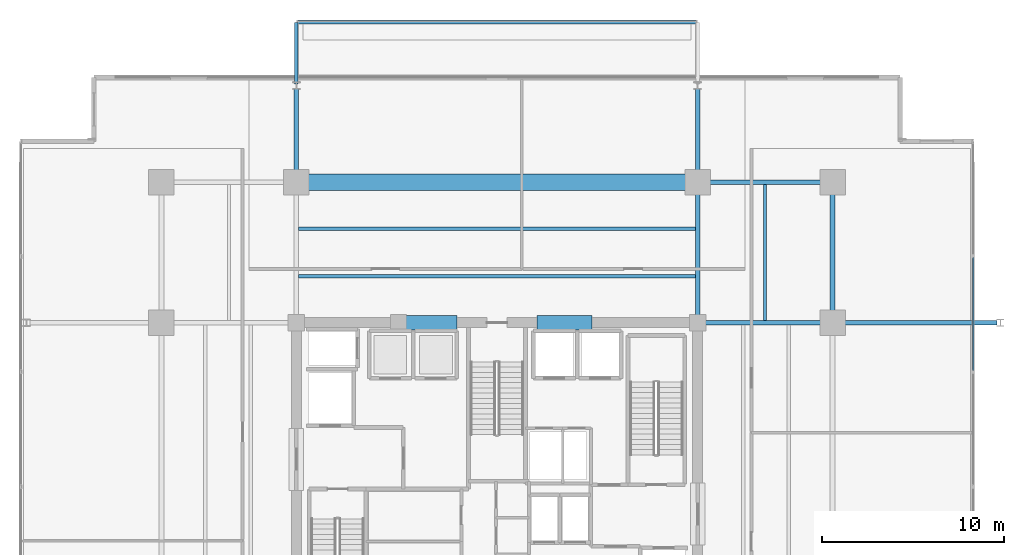
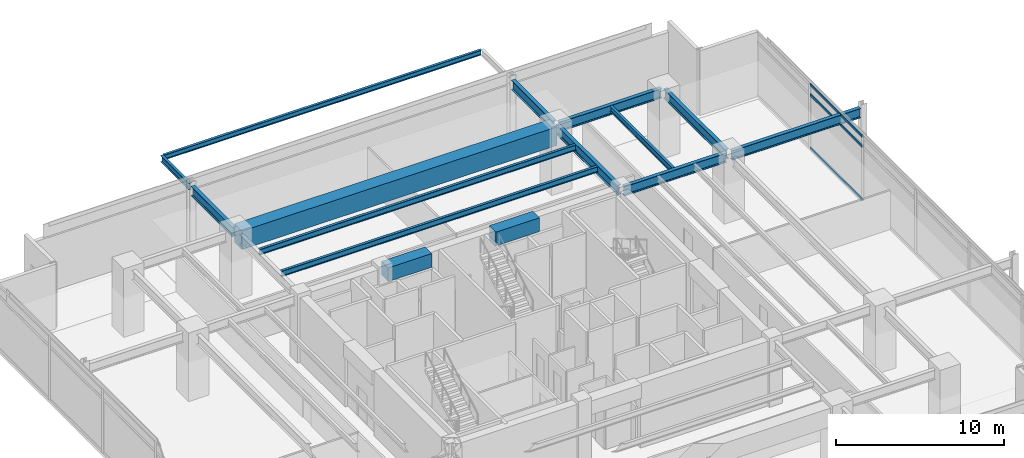
# One storey, part 11 of 25: 15 beams, 3 members, 1 element without a shape of its own.
"""IFC4 building model written with IfcOpenShell, lengths in metres."""

from ifc_helpers import new_model, si_unit, direction, frame, origin, origin_2d, place, context, subcontext, project, spatial, rectangle, hollow_rectangle, i_section, extrude, material, material_profile, profile_set, type_object, element, aggregate, save


model = new_model("IFC4")

# Units and contexts
model_context = context("Model", 3, precision=1e-05, world=origin(), true_north=direction((0.0, 1.0)))
body_context = subcontext(model_context, "Body", "Model", "MODEL_VIEW")
ifc_project = project(units=[si_unit("LENGTHUNIT", "METRE"), si_unit("AREAUNIT", "SQUARE_METRE"), si_unit("VOLUMEUNIT", "CUBIC_METRE"), si_unit("PLANEANGLEUNIT", "RADIAN"), si_unit("MASSUNIT", "GRAM", prefix="KILO")], contexts=[model_context])

# Site, building, storey
site_placement = place(None, origin())
site = spatial("IfcSite", under=ifc_project, at=site_placement, CompositionType="ELEMENT")
building_placement = place(site_placement, origin())
building = spatial("IfcBuilding", under=site, at=building_placement, Name="Kovane Verandah Tower", CompositionType="ELEMENT")
storey_placement = place(building_placement, frame((0.0, 0.0, 233.199951171875)))
storey = spatial("IfcBuildingStorey", under=building, at=storey_placement, Name="L54", CompositionType="ELEMENT", Elevation=233.199951171875)

# Beams
ifc_material_1 = material(Name="Concrete C60/75", Category="concrete")
ifc_material_profile_1 = material_profile(ifc_material_1, rectangle(XDim=0.800048828125, YDim=1.0, at=origin_2d()), Name="RCB800x1000")
ifc_profile_set_1 = profile_set([ifc_material_profile_1], Name="Concrete C60/75")
beam_type_1 = type_object("IfcBeamType", Name="BM-LINTEL-800x1000", PredefinedType="LINTEL", material=ifc_profile_set_1)
for number, where, z_axis, x_axis, name in (
    (1, (34.800048828125, 36.5, 4.199951171875), (1.0, 0.0, 0.0), (0.0, 1.0, 0.0), "L54 Core Coupling Lintel CL-N1"),
    (2, (42.199951171875, 36.5, 4.199951171875), (1.0, 0.0, 0.0), (0.0, 1.0, 0.0), "L54 Core Coupling Lintel CL-N2"),
):
    element("IfcBeam", number, at=place(storey_placement, frame(where, z_axis=z_axis, x_axis=x_axis)), inside=storey, type_object=beam_type_1, Name=name, PredefinedType="LINTEL", context=body_context, shape_type="SweptSolid", body=[
        extrude(rectangle(XDim=0.800048828125, YDim=1.0, at=origin_2d()), origin(), (0.0, 0.0, 1.0), 3.0),
    ])
ifc_material_2 = material(Name="Concrete C80/95", Category="concrete")
ifc_material_profile_2 = material_profile(ifc_material_2, rectangle(XDim=0.89990234375, YDim=1.35009765625, at=origin_2d()), Name="RCB900x1350")
ifc_profile_set_2 = profile_set([ifc_material_profile_2], Name="Concrete C80/95")
beam_type_2 = type_object("IfcBeamType", Name="BM-TR-900x1350", PredefinedType="BEAM", material=ifc_profile_set_2)
beam_1_placement = place(storey_placement, frame((29.179931640625, 44.199951171875, 4.025146484375), z_axis=(1.0, 0.0, 0.0), x_axis=(0.0, 1.0, 0.0)))
element("IfcBeam", 3, at=beam_1_placement, inside=storey, type_object=beam_type_2, Name="L54 Primary Tower Girder G-RN2", PredefinedType="BEAM", context=body_context, shape_type="SweptSolid", body=[
    extrude(rectangle(XDim=0.89990234375, YDim=1.35009765625, at=origin_2d()), origin(), (0.0, 0.0, 1.0), 21.64013671875),
])
ifc_material_3 = material(Name="Steel S355", Category="steel")
ifc_material_profile_3 = material_profile(ifc_material_3, i_section(OverallWidth=0.255859375, OverallDepth=0.69287109375, WebThickness=0.014404296875, FlangeThickness=0.023681640625, FilletRadius=0.01513671875, at=origin_2d()), Name="UB686x254x170")
ifc_profile_set_3 = profile_set([ifc_material_profile_3], Name="Steel S355")
beam_type_3 = type_object("IfcBeamType", Name="BM-UB686x170", PredefinedType="BEAM", material=ifc_profile_set_3)
beam_2_placement = place(storey_placement, frame((51.179931640625, 44.199951171875, 4.353759765625), z_axis=(1.0, 0.0, 0.0), x_axis=(0.0, 1.0, 0.0)))
element("IfcBeam", 4, at=beam_2_placement, inside=storey, type_object=beam_type_3, Name="L54 Primary Tower Girder G-RN3", PredefinedType="BEAM", context=body_context, shape_type="SweptSolid", body=[
    extrude(i_section(OverallWidth=0.255859375, OverallDepth=0.69287109375, WebThickness=0.014404296875, FlangeThickness=0.023681640625, FilletRadius=0.01513671875, at=origin_2d()), origin(), (0.0, 0.0, 1.0), 7.0400390625),
])
beam_3_placement = place(storey_placement, frame((58.39990234375, 36.679931640625, 4.353759765625), z_axis=(0.0, 1.0, 0.0), x_axis=(-1.0, 0.0, 0.0)))
element("IfcBeam", 5, at=beam_3_placement, inside=storey, type_object=beam_type_3, Name="L54 Primary Tower Girder G-RE3", PredefinedType="BEAM", context=body_context, shape_type="SweptSolid", body=[
    extrude(i_section(OverallWidth=0.255859375, OverallDepth=0.69287109375, WebThickness=0.014404296875, FlangeThickness=0.023681640625, FilletRadius=0.01513671875, at=origin_2d()), origin(), (0.0, 0.0, 1.0), 7.340087890625),
])
beam_4_placement = place(storey_placement, frame((51.179931640625, 36.5, 4.353759765625), z_axis=(1.0, 0.0, 0.0), x_axis=(0.0, 1.0, 0.0)))
element("IfcBeam", 6, at=beam_4_placement, inside=storey, type_object=beam_type_3, Name="L54 Primary Tower Girder G-E2", PredefinedType="BEAM", context=body_context, shape_type="SweptSolid", body=[
    extrude(i_section(OverallWidth=0.255859375, OverallDepth=0.69287109375, WebThickness=0.014404296875, FlangeThickness=0.023681640625, FilletRadius=0.01513671875, at=origin_2d()), origin(), (0.0, 0.0, 1.0), 7.0400390625),
])
beam_5_placement = place(storey_placement, frame((51.0, 36.679931640625, 4.353759765625), z_axis=(0.0, 1.0, 0.0), x_axis=(-1.0, 0.0, 0.0)))
element("IfcBeam", 7, at=beam_5_placement, inside=storey, type_object=beam_type_3, Name="L54 Primary Tower Girder G-N2", PredefinedType="BEAM", context=body_context, shape_type="SweptSolid", body=[
    extrude(i_section(OverallWidth=0.255859375, OverallDepth=0.69287109375, WebThickness=0.014404296875, FlangeThickness=0.023681640625, FilletRadius=0.01513671875, at=origin_2d()), origin(), (0.0, 0.0, 1.0), 7.340087890625),
])
beam_6_placement = place(storey_placement, frame((58.580078125, 36.5, 4.353759765625), z_axis=(1.0, 0.0, 0.0), x_axis=(0.0, 1.0, 0.0)))
element("IfcBeam", 8, at=beam_6_placement, inside=storey, type_object=beam_type_3, Name="L54 Primary Tower Girder G-VE2", PredefinedType="BEAM", context=body_context, shape_type="SweptSolid", body=[
    extrude(i_section(OverallWidth=0.255859375, OverallDepth=0.69287109375, WebThickness=0.014404296875, FlangeThickness=0.023681640625, FilletRadius=0.01513671875, at=origin_2d()), origin(), (0.0, 0.0, 1.0), 8.83984375),
])
for number, where, z_axis, x_axis, name in (
    (9, (29.0, 44.3798828125, 4.353759765625), (0.0, 1.0, 0.0), (-1.0, 0.0, 0.0), "L54 Primary Tower Girder G-VN1"),
    (10, (51.0, 44.3798828125, 4.353759765625), (0.0, 1.0, 0.0), (-1.0, 0.0, 0.0), "L54 Primary Tower Girder G-VN2"),
):
    element("IfcBeam", number, at=place(storey_placement, frame(where, z_axis=z_axis, x_axis=x_axis)), inside=storey, type_object=beam_type_3, Name=name, PredefinedType="BEAM", context=body_context, shape_type="SweptSolid", body=[
        extrude(i_section(OverallWidth=0.255859375, OverallDepth=0.69287109375, WebThickness=0.014404296875, FlangeThickness=0.023681640625, FilletRadius=0.01513671875, at=origin_2d()), origin(), (0.0, 0.0, 1.0), 4.940185546875),
    ])

# Curtain wall, members
ifc_material_4 = material(Name="Champagne Anodised Aluminium Frame with Low-E Clear Laminated Glass", Category="aluminium")
curtain_wall_type = type_object("IfcCurtainWallType", Name="CW-SYS-03-MID", PredefinedType="NOTDEFINED", material=ifc_material_4)
curtain_wall_placement = place(storey_placement, origin())
curtain_wall = element("IfcCurtainWall", 11, at=curtain_wall_placement, inside=storey, type_object=curtain_wall_type, Name="L54 E Unitised Curtain Wall", PredefinedType="NOTDEFINED")
ifc_material_5 = material(Name="Champagne Anodised Aluminium 6063-T6", Category="aluminium")
ifc_material_profile_4 = material_profile(ifc_material_5, hollow_rectangle(XDim=0.0849609375, YDim=0.18994140625, WallThickness=0.00390625, at=origin_2d()), Name="AL85x190x4")
ifc_profile_set_4 = profile_set([ifc_material_profile_4], Name="Champagne Anodised Aluminium 6063-T6")
member_type = type_object("IfcMemberType", Name="CW-TRN-85x190", PredefinedType="USERDEFINED", material=ifc_profile_set_4)
member_1_placement = place(storey_placement, frame((66.107177734375, 33.866455078125, 0.050048828125), z_axis=(0.0, 1.0, 0.0), x_axis=(-1.0, 0.0, 0.0)))
member_1 = element("IfcMember", 12, at=member_1_placement, type_object=member_type, Name="L54 E Unitised Curtain Wall Transom TB Bay 5", ObjectType="TRANSOM", PredefinedType="USERDEFINED", context=body_context, shape_type="SweptSolid", body=[
    extrude(hollow_rectangle(XDim=0.0849609375, YDim=0.18994140625, WallThickness=0.00390625, at=origin_2d()), origin(), (0.0, 0.0, 1.0), 6.216552734375),
])
member_2_placement = place(storey_placement, frame((66.107177734375, 33.866455078125, 3.920166015625), z_axis=(0.0, 1.0, 0.0), x_axis=(-1.0, 0.0, 0.0)))
member_2 = element("IfcMember", 13, at=member_2_placement, type_object=member_type, Name="L54 E Unitised Curtain Wall Transom TM Bay 5", ObjectType="TRANSOM", PredefinedType="USERDEFINED", context=body_context, shape_type="SweptSolid", body=[
    extrude(hollow_rectangle(XDim=0.0849609375, YDim=0.18994140625, WallThickness=0.00390625, at=origin_2d()), origin(), (0.0, 0.0, 1.0), 6.216552734375),
])
member_3_placement = place(storey_placement, frame((66.107177734375, 33.866455078125, 4.650146484375), z_axis=(0.0, 1.0, 0.0), x_axis=(-1.0, 0.0, 0.0)))
member_3 = element("IfcMember", 14, at=member_3_placement, type_object=member_type, Name="L54 E Unitised Curtain Wall Transom TT Bay 5", ObjectType="TRANSOM", PredefinedType="USERDEFINED", context=body_context, shape_type="SweptSolid", body=[
    extrude(hollow_rectangle(XDim=0.0849609375, YDim=0.18994140625, WallThickness=0.00390625, at=origin_2d()), origin(), (0.0, 0.0, 1.0), 6.216552734375),
])
aggregate(curtain_wall, [member_1, member_2, member_3])

# Beams
ifc_material_profile_5 = material_profile(ifc_material_3, i_section(OverallWidth=0.179443359375, OverallDepth=0.412841796875, WebThickness=0.009521484375, FlangeThickness=0.01611328125, FilletRadius=0.01025390625, at=origin_2d()), Name="UB406x178x74")
ifc_profile_set_5 = profile_set([ifc_material_profile_5], Name="Steel S355")
beam_type_4 = type_object("IfcBeamType", Name="JST-UB406x74", PredefinedType="JOIST", material=ifc_profile_set_5)
for number, where, z_axis, x_axis, name in (
    (15, (29.1259765625, 39.050048828125, 4.49365234375), (1.0, 0.0, 0.0), (0.0, 1.0, 0.0), "L54 Secondary Composite Joist J-N1"),
    (16, (29.1259765625, 41.64990234375, 4.49365234375), (1.0, 0.0, 0.0), (0.0, 1.0, 0.0), "L54 Secondary Composite Joist J-N2"),
):
    element("IfcBeam", number, at=place(storey_placement, frame(where, z_axis=z_axis, x_axis=x_axis)), inside=storey, type_object=beam_type_4, Name=name, PredefinedType="JOIST", context=body_context, shape_type="SweptSolid", body=[
        extrude(i_section(OverallWidth=0.179443359375, OverallDepth=0.412841796875, WebThickness=0.009521484375, FlangeThickness=0.01611328125, FilletRadius=0.01025390625, at=origin_2d()), origin(), (0.0, 0.0, 1.0), 21.748046875),
    ])
beam_7_placement = place(storey_placement, frame((54.699951171875, 36.6259765625, 4.49365234375), z_axis=(0.0, 1.0, 0.0), x_axis=(-1.0, 0.0, 0.0)))
element("IfcBeam", 17, at=beam_7_placement, inside=storey, type_object=beam_type_4, Name="L54 Secondary Composite Joist J-NE1", PredefinedType="JOIST", context=body_context, shape_type="SweptSolid", body=[
    extrude(i_section(OverallWidth=0.179443359375, OverallDepth=0.412841796875, WebThickness=0.009521484375, FlangeThickness=0.01611328125, FilletRadius=0.01025390625, at=origin_2d()), origin(), (0.0, 0.0, 1.0), 7.4482421875),
])
ifc_material_profile_6 = material_profile(ifc_material_3, i_section(OverallWidth=0.19287109375, OverallDepth=0.46728515625, WebThickness=0.011474609375, FlangeThickness=0.01953125, FilletRadius=0.01025390625, at=origin_2d()), Name="UB457x191x98")
ifc_profile_set_6 = profile_set([ifc_material_profile_6], Name="Steel S355")
beam_type_5 = type_object("IfcBeamType", Name="JST-UB457x98", PredefinedType="JOIST", material=ifc_profile_set_6)
beam_8_placement = place(storey_placement, frame((29.0, 49.580078125, 4.466552734375), z_axis=(0.0, 1.0, 0.0), x_axis=(-1.0, 0.0, 0.0)))
element("IfcBeam", 18, at=beam_8_placement, inside=storey, type_object=beam_type_5, Name="L54 North Planter Girder 1", PredefinedType="JOIST", context=body_context, shape_type="SweptSolid", body=[
    extrude(i_section(OverallWidth=0.19287109375, OverallDepth=0.46728515625, WebThickness=0.011474609375, FlangeThickness=0.01953125, FilletRadius=0.01025390625, at=origin_2d()), origin(), (0.0, 0.0, 1.0), 3.393310546875),
])
ifc_material_profile_7 = material_profile(ifc_material_3, i_section(OverallWidth=0.173095703125, OverallDepth=0.36328125, WebThickness=0.009033203125, FlangeThickness=0.015625, FilletRadius=0.01025390625, at=origin_2d()), Name="UB356x171x67")
ifc_profile_set_7 = profile_set([ifc_material_profile_7], Name="Steel S355")
beam_type_6 = type_object("IfcBeamType", Name="SPD-UB356x67", PredefinedType="USERDEFINED", material=ifc_profile_set_7)
beam_9_placement = place(storey_placement, frame((29.094482421875, 52.973388671875, 4.518310546875), z_axis=(1.0, 0.0, 0.0), x_axis=(0.0, 1.0, 0.0)))
element("IfcBeam", 19, at=beam_9_placement, inside=storey, type_object=beam_type_6, Name="L54 North Planter Edge Spandrel", ObjectType="SPANDREL", PredefinedType="USERDEFINED", context=body_context, shape_type="SweptSolid", body=[
    extrude(i_section(OverallWidth=0.173095703125, OverallDepth=0.36328125, WebThickness=0.009033203125, FlangeThickness=0.015625, FilletRadius=0.01025390625, at=origin_2d()), origin(), (0.0, 0.0, 1.0), 21.81103515625),
])

save(model, "model.ifc")
